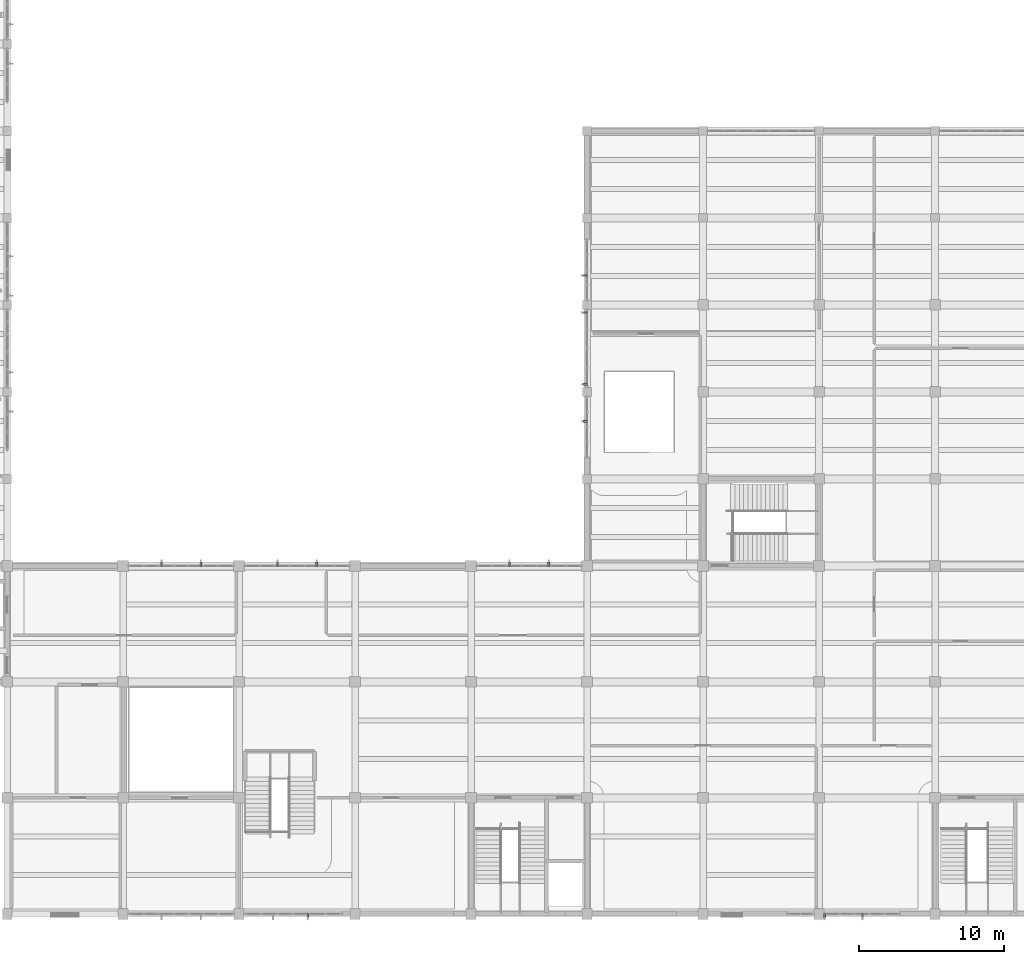
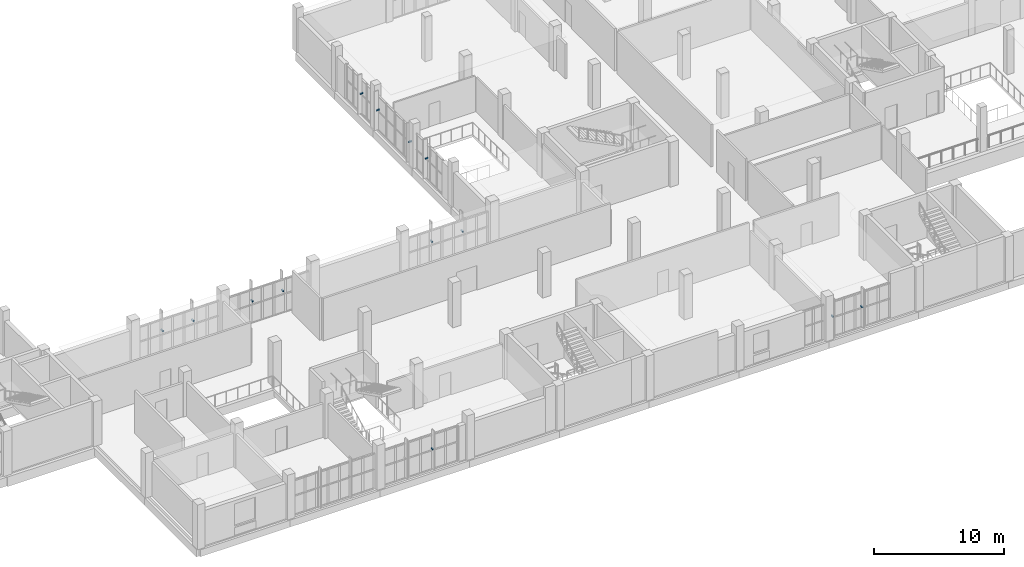
# One storey, part 71 of 85: 13 discrete accessories.
"""IFC4 building model written with IfcOpenShell, lengths in metres."""

from ifc_helpers import new_model, si_unit, direction, frame, origin, origin_2d, place, context, subcontext, project, spatial, rectangle, extrude, material, type_object, element, save


model = new_model("IFC4")

# Units and contexts
model_context = context("Model", 3, precision=1e-05, world=origin(), true_north=direction((0.0, 1.0)))
body_context = subcontext(model_context, "Body", "Model", "MODEL_VIEW")
ifc_project = project(units=[si_unit("LENGTHUNIT", "METRE"), si_unit("AREAUNIT", "SQUARE_METRE"), si_unit("VOLUMEUNIT", "CUBIC_METRE"), si_unit("PLANEANGLEUNIT", "RADIAN"), si_unit("MASSUNIT", "GRAM", prefix="KILO")], contexts=[model_context])

# Site, building, storey
site_placement = place(None, origin())
site = spatial("IfcSite", under=ifc_project, at=site_placement, CompositionType="ELEMENT")
building_placement = place(site_placement, origin())
building = spatial("IfcBuilding", under=site, at=building_placement, Name="Solvane Community Centre", CompositionType="ELEMENT")
storey_placement = place(building_placement, frame((0.0, 0.0, 5.39990234375)))
storey = spatial("IfcBuildingStorey", under=building, at=storey_placement, Name="L01", CompositionType="ELEMENT", Elevation=5.39990234375)

# Discrete accessories
ifc_material = material(Name="Steel ASTM A572 Grade 50", Category="steel")
discrete_accessory_type = type_object("IfcDiscreteAccessoryType", Name="Fin Mounting Bracket 120x120", PredefinedType="BRACKET", material=ifc_material)
for number, where, z_axis, x_axis, name in (
    (1, (127.0, 5.89990234375, 1.929931640625), (0.0, 0.0, 1.0), (-1.0, 0.0, 0.0), "Fin Bracket 35"),
    (2, (124.384765625, 5.89990234375, 1.929931640625), (0.0, 0.0, 1.0), (-1.0, 0.0, 0.0), "Fin Bracket 36"),
    (3, (88.741455078125, 5.89990234375, 1.929931640625), (0.0, 0.0, 1.0), (-1.0, 0.0, 0.0), "Fin Bracket 37"),
    (4, (78.639892578125, 30.10009765625, 1.929931640625), (0.0, 0.0, 1.0), (1.0, 0.0, 0.0), "Fin Bracket 57"),
    (5, (81.360107421875, 30.10009765625, 1.929931640625), (0.0, 0.0, 1.0), (1.0, 0.0, 0.0), "Fin Bracket 58"),
    (6, (86.639892578125, 30.10009765625, 1.929931640625), (0.0, 0.0, 1.0), (1.0, 0.0, 0.0), "Fin Bracket 59"),
    (7, (89.360107421875, 30.10009765625, 1.929931640625), (0.0, 0.0, 1.0), (1.0, 0.0, 0.0), "Fin Bracket 60"),
    (8, (102.639892578125, 30.10009765625, 1.929931640625), (0.0, 0.0, 1.0), (1.0, 0.0, 0.0), "Fin Bracket 61"),
    (9, (105.360107421875, 30.10009765625, 1.929931640625), (0.0, 0.0, 1.0), (1.0, 0.0, 0.0), "Fin Bracket 62"),
    (10, (107.89990234375, 39.97509765625, 1.929931640625), (0.0, 0.0, 1.0), (0.0, 1.0, 0.0), "Fin Bracket 63"),
    (11, (107.89990234375, 42.52490234375, 1.929931640625), (0.0, 0.0, 1.0), (0.0, 1.0, 0.0), "Fin Bracket 64"),
    (12, (107.89990234375, 47.47509765625, 1.929931640625), (0.0, 0.0, 1.0), (0.0, 1.0, 0.0), "Fin Bracket 65"),
    (13, (107.89990234375, 50.02490234375, 1.929931640625), (0.0, 0.0, 1.0), (0.0, 1.0, 0.0), "Fin Bracket 66"),
):
    element("IfcDiscreteAccessory", number, at=place(storey_placement, frame(where, z_axis=z_axis, x_axis=x_axis)), inside=storey, type_object=discrete_accessory_type, Name=name, PredefinedType="BRACKET", context=body_context, shape_type="SweptSolid", body=[
        extrude(rectangle(XDim=0.1201171875, YDim=0.300048828125, at=origin_2d()), origin(), (0.0, 0.0, 1.0), 0.1201171875),
    ])

save(model, "model.ifc")
